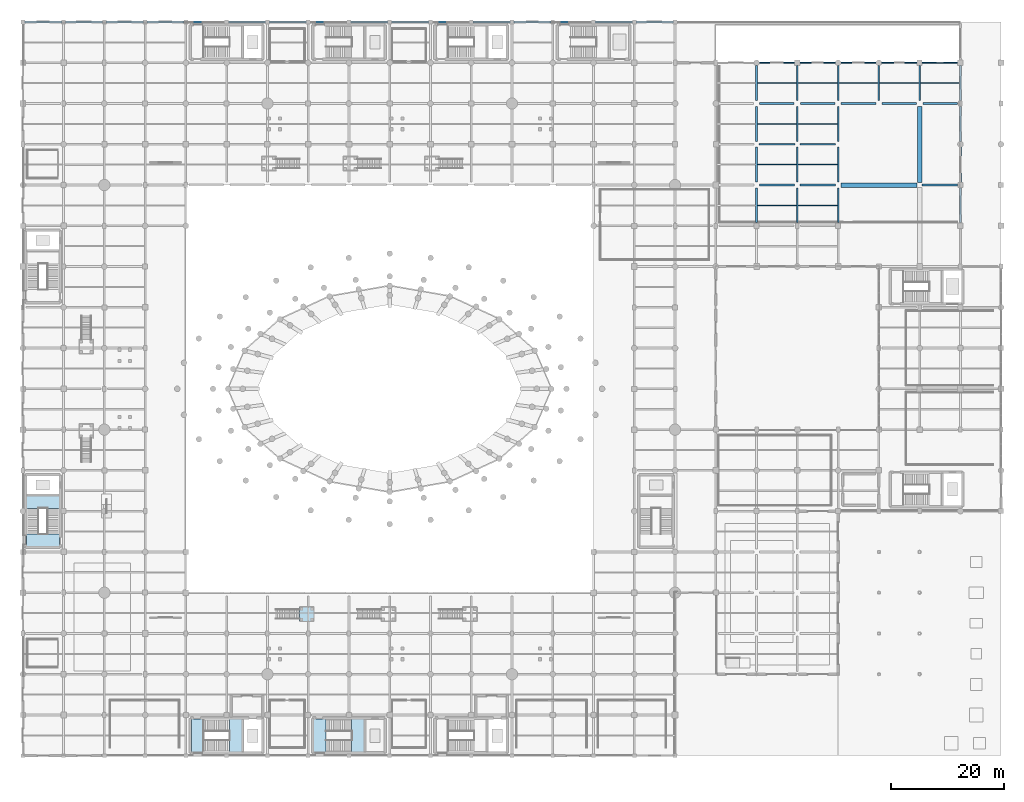
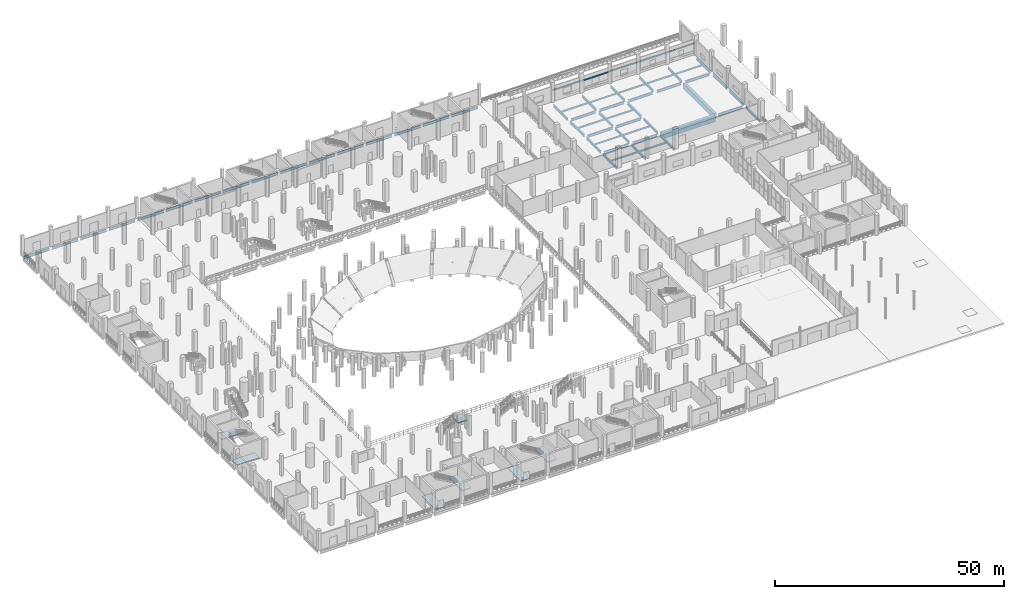
# One storey, part 28 of 58: 62 beams, 7 slabs, 3 elements without a shape of their own.
"""IFC4 building model written with IfcOpenShell, lengths in metres."""

from ifc_helpers import new_model, si_unit, direction, frame, origin, origin_2d, place, context, subcontext, project, spatial, polyline, rectangle, i_section, outline, extrude, material, layer, layer_set, material_profile, profile_set, type_object, element, aggregate, save


model = new_model("IFC4")

# Units and contexts
model_context = context("Model", 3, precision=1e-05, world=origin(), true_north=direction((0.0, 1.0)))
body_context = subcontext(model_context, "Body", "Model", "MODEL_VIEW")
ifc_project = project(units=[si_unit("LENGTHUNIT", "METRE"), si_unit("AREAUNIT", "SQUARE_METRE"), si_unit("VOLUMEUNIT", "CUBIC_METRE"), si_unit("PLANEANGLEUNIT", "RADIAN"), si_unit("MASSUNIT", "GRAM", prefix="KILO")], contexts=[model_context])

# Site, building, storey
site_placement = place(None, origin())
site = spatial("IfcSite", under=ifc_project, at=site_placement, CompositionType="ELEMENT")
building_placement = place(site_placement, origin())
building = spatial("IfcBuilding", under=site, at=building_placement, Name="Qandorah Velis Arena", CompositionType="ELEMENT")
storey_placement = place(building_placement, origin())
storey = spatial("IfcBuildingStorey", under=building, at=storey_placement, Name="L00", CompositionType="ELEMENT", Elevation=0.0)

# Beams
ifc_material_1 = material(Name="Steel S355", Category="steel")
ifc_material_profile_1 = material_profile(ifc_material_1, i_section(OverallWidth=0.300048828125, OverallDepth=0.64990234375, WebThickness=0.01611328125, FlangeThickness=0.031005859375, FilletRadius=0.027099609375, at=origin_2d()), Name="HEB 650")
ifc_profile_set_1 = profile_set([ifc_material_profile_1], Name="Steel S355")
beam_type_1 = type_object("IfcBeamType", Name="STR-BM-HEB650", PredefinedType="BEAM", material=ifc_profile_set_1)
beam_1_placement = place(storey_placement, frame((129.60009765625, 94.14990234375, -0.7451171875), z_axis=(0.0, 1.0, 0.0), x_axis=(-1.0, 0.0, 0.0)))
element("IfcBeam", 1, at=beam_1_placement, inside=storey, type_object=beam_type_1, Name="Primary floor girder L00 Y-478", PredefinedType="BEAM", context=body_context, shape_type="SweptSolid", body=[
    extrude(i_section(OverallWidth=0.300048828125, OverallDepth=0.64990234375, WebThickness=0.01611328125, FlangeThickness=0.031005859375, FilletRadius=0.027099609375, at=origin_2d()), origin(), (0.0, 0.0, 1.0), 6.150146484375),
])
beam_2_placement = place(storey_placement, frame((129.60009765625, 101.300048828125, -0.7451171875), z_axis=(0.0, 1.0, 0.0), x_axis=(-1.0, 0.0, 0.0)))
element("IfcBeam", 2, at=beam_2_placement, inside=storey, type_object=beam_type_1, Name="Primary floor girder L00 Y-479", PredefinedType="BEAM", context=body_context, shape_type="SweptSolid", body=[
    extrude(i_section(OverallWidth=0.300048828125, OverallDepth=0.64990234375, WebThickness=0.01611328125, FlangeThickness=0.031005859375, FilletRadius=0.027099609375, at=origin_2d()), origin(), (0.0, 0.0, 1.0), 6.25),
])
beam_3_placement = place(storey_placement, frame((129.60009765625, 108.449951171875, -0.7451171875), z_axis=(0.0, 1.0, 0.0), x_axis=(-1.0, 0.0, 0.0)))
element("IfcBeam", 3, at=beam_3_placement, inside=storey, type_object=beam_type_1, Name="Primary floor girder L00 Y-480", PredefinedType="BEAM", context=body_context, shape_type="SweptSolid", body=[
    extrude(i_section(OverallWidth=0.300048828125, OverallDepth=0.64990234375, WebThickness=0.01611328125, FlangeThickness=0.031005859375, FilletRadius=0.027099609375, at=origin_2d()), origin(), (0.0, 0.0, 1.0), 6.199951171875),
])
beam_4_placement = place(storey_placement, frame((129.60009765625, 115.75, -0.7451171875), z_axis=(0.0, 1.0, 0.0), x_axis=(-1.0, 0.0, 0.0)))
element("IfcBeam", 4, at=beam_4_placement, inside=storey, type_object=beam_type_1, Name="Primary floor girder L00 Y-481", PredefinedType="BEAM", context=body_context, shape_type="SweptSolid", body=[
    extrude(i_section(OverallWidth=0.300048828125, OverallDepth=0.64990234375, WebThickness=0.01611328125, FlangeThickness=0.031005859375, FilletRadius=0.027099609375, at=origin_2d()), origin(), (0.0, 0.0, 1.0), 6.14990234375),
])
beam_5_placement = place(storey_placement, frame((136.800048828125, 94.14990234375, -0.7451171875), z_axis=(0.0, 1.0, 0.0), x_axis=(-1.0, 0.0, 0.0)))
element("IfcBeam", 5, at=beam_5_placement, inside=storey, type_object=beam_type_1, Name="Primary floor girder L00 Y-489", PredefinedType="BEAM", context=body_context, shape_type="SweptSolid", body=[
    extrude(i_section(OverallWidth=0.300048828125, OverallDepth=0.64990234375, WebThickness=0.01611328125, FlangeThickness=0.031005859375, FilletRadius=0.027099609375, at=origin_2d()), origin(), (0.0, 0.0, 1.0), 6.150146484375),
])
beam_6_placement = place(storey_placement, frame((136.800048828125, 101.300048828125, -0.7451171875), z_axis=(0.0, 1.0, 0.0), x_axis=(-1.0, 0.0, 0.0)))
element("IfcBeam", 6, at=beam_6_placement, inside=storey, type_object=beam_type_1, Name="Primary floor girder L00 Y-490", PredefinedType="BEAM", context=body_context, shape_type="SweptSolid", body=[
    extrude(i_section(OverallWidth=0.300048828125, OverallDepth=0.64990234375, WebThickness=0.01611328125, FlangeThickness=0.031005859375, FilletRadius=0.027099609375, at=origin_2d()), origin(), (0.0, 0.0, 1.0), 6.25),
])
beam_7_placement = place(storey_placement, frame((136.800048828125, 108.449951171875, -0.7451171875), z_axis=(0.0, 1.0, 0.0), x_axis=(-1.0, 0.0, 0.0)))
element("IfcBeam", 7, at=beam_7_placement, inside=storey, type_object=beam_type_1, Name="Primary floor girder L00 Y-491", PredefinedType="BEAM", context=body_context, shape_type="SweptSolid", body=[
    extrude(i_section(OverallWidth=0.300048828125, OverallDepth=0.64990234375, WebThickness=0.01611328125, FlangeThickness=0.031005859375, FilletRadius=0.027099609375, at=origin_2d()), origin(), (0.0, 0.0, 1.0), 6.199951171875),
])
beam_8_placement = place(storey_placement, frame((136.800048828125, 115.75, -0.7451171875), z_axis=(0.0, 1.0, 0.0), x_axis=(-1.0, 0.0, 0.0)))
element("IfcBeam", 8, at=beam_8_placement, inside=storey, type_object=beam_type_1, Name="Primary floor girder L00 Y-492", PredefinedType="BEAM", context=body_context, shape_type="SweptSolid", body=[
    extrude(i_section(OverallWidth=0.300048828125, OverallDepth=0.64990234375, WebThickness=0.01611328125, FlangeThickness=0.031005859375, FilletRadius=0.027099609375, at=origin_2d()), origin(), (0.0, 0.0, 1.0), 6.14990234375),
])
beam_9_placement = place(storey_placement, frame((144.0, 94.14990234375, -0.7451171875), z_axis=(0.0, 1.0, 0.0), x_axis=(-1.0, 0.0, 0.0)))
element("IfcBeam", 9, at=beam_9_placement, inside=storey, type_object=beam_type_1, Name="Primary floor girder L00 Y-500", PredefinedType="BEAM", context=body_context, shape_type="SweptSolid", body=[
    extrude(i_section(OverallWidth=0.300048828125, OverallDepth=0.64990234375, WebThickness=0.01611328125, FlangeThickness=0.031005859375, FilletRadius=0.027099609375, at=origin_2d()), origin(), (0.0, 0.0, 1.0), 6.150146484375),
])
beam_10_placement = place(storey_placement, frame((144.0, 101.300048828125, -0.7451171875), z_axis=(0.0, 1.0, 0.0), x_axis=(-1.0, 0.0, 0.0)))
element("IfcBeam", 10, at=beam_10_placement, inside=storey, type_object=beam_type_1, Name="Primary floor girder L00 Y-501", PredefinedType="BEAM", context=body_context, shape_type="SweptSolid", body=[
    extrude(i_section(OverallWidth=0.300048828125, OverallDepth=0.64990234375, WebThickness=0.01611328125, FlangeThickness=0.031005859375, FilletRadius=0.027099609375, at=origin_2d()), origin(), (0.0, 0.0, 1.0), 6.25),
])
beam_11_placement = place(storey_placement, frame((144.0, 108.449951171875, -0.7451171875), z_axis=(0.0, 1.0, 0.0), x_axis=(-1.0, 0.0, 0.0)))
element("IfcBeam", 11, at=beam_11_placement, inside=storey, type_object=beam_type_1, Name="Primary floor girder L00 Y-502", PredefinedType="BEAM", context=body_context, shape_type="SweptSolid", body=[
    extrude(i_section(OverallWidth=0.300048828125, OverallDepth=0.64990234375, WebThickness=0.01611328125, FlangeThickness=0.031005859375, FilletRadius=0.027099609375, at=origin_2d()), origin(), (0.0, 0.0, 1.0), 6.199951171875),
])
for number, where, z_axis, x_axis, name in (
    (12, (144.0, 115.75, -0.7451171875), (0.0, 1.0, 0.0), (-1.0, 0.0, 0.0), "Primary floor girder L00 Y-503"),
    (13, (151.199951171875, 115.75, -0.7451171875), (0.0, 1.0, 0.0), (-1.0, 0.0, 0.0), "Primary floor girder L00 Y-510"),
    (14, (158.39990234375, 115.75, -0.7451171875), (0.0, 1.0, 0.0), (-1.0, 0.0, 0.0), "Primary floor girder L00 Y-516"),
):
    element("IfcBeam", number, at=place(storey_placement, frame(where, z_axis=z_axis, x_axis=x_axis)), inside=storey, type_object=beam_type_1, Name=name, PredefinedType="BEAM", context=body_context, shape_type="SweptSolid", body=[
        extrude(i_section(OverallWidth=0.300048828125, OverallDepth=0.64990234375, WebThickness=0.01611328125, FlangeThickness=0.031005859375, FilletRadius=0.027099609375, at=origin_2d()), origin(), (0.0, 0.0, 1.0), 6.14990234375),
    ])
beam_12_placement = place(storey_placement, frame((165.60009765625, 94.14990234375, -0.7451171875), z_axis=(0.0, 1.0, 0.0), x_axis=(-1.0, 0.0, 0.0)))
element("IfcBeam", 15, at=beam_12_placement, inside=storey, type_object=beam_type_1, Name="Primary floor girder L00 Y-521", PredefinedType="BEAM", context=body_context, shape_type="SweptSolid", body=[
    extrude(i_section(OverallWidth=0.300048828125, OverallDepth=0.64990234375, WebThickness=0.01611328125, FlangeThickness=0.031005859375, FilletRadius=0.027099609375, at=origin_2d()), origin(), (0.0, 0.0, 1.0), 6.150146484375),
])
beam_13_placement = place(storey_placement, frame((165.60009765625, 101.300048828125, -0.7451171875), z_axis=(0.0, 1.0, 0.0), x_axis=(-1.0, 0.0, 0.0)))
element("IfcBeam", 16, at=beam_13_placement, inside=storey, type_object=beam_type_1, Name="Primary floor girder L00 Y-522", PredefinedType="BEAM", context=body_context, shape_type="SweptSolid", body=[
    extrude(i_section(OverallWidth=0.300048828125, OverallDepth=0.64990234375, WebThickness=0.01611328125, FlangeThickness=0.031005859375, FilletRadius=0.027099609375, at=origin_2d()), origin(), (0.0, 0.0, 1.0), 6.25),
])
beam_14_placement = place(storey_placement, frame((165.60009765625, 108.449951171875, -0.7451171875), z_axis=(0.0, 1.0, 0.0), x_axis=(-1.0, 0.0, 0.0)))
element("IfcBeam", 17, at=beam_14_placement, inside=storey, type_object=beam_type_1, Name="Primary floor girder L00 Y-523", PredefinedType="BEAM", context=body_context, shape_type="SweptSolid", body=[
    extrude(i_section(OverallWidth=0.300048828125, OverallDepth=0.64990234375, WebThickness=0.01611328125, FlangeThickness=0.031005859375, FilletRadius=0.027099609375, at=origin_2d()), origin(), (0.0, 0.0, 1.0), 6.199951171875),
])
beam_15_placement = place(storey_placement, frame((165.60009765625, 115.75, -0.7451171875), z_axis=(0.0, 1.0, 0.0), x_axis=(-1.0, 0.0, 0.0)))
element("IfcBeam", 18, at=beam_15_placement, inside=storey, type_object=beam_type_1, Name="Primary floor girder L00 Y-524", PredefinedType="BEAM", context=body_context, shape_type="SweptSolid", body=[
    extrude(i_section(OverallWidth=0.300048828125, OverallDepth=0.64990234375, WebThickness=0.01611328125, FlangeThickness=0.031005859375, FilletRadius=0.027099609375, at=origin_2d()), origin(), (0.0, 0.0, 1.0), 6.14990234375),
])
ifc_material_profile_2 = material_profile(ifc_material_1, i_section(OverallWidth=0.300048828125, OverallDepth=0.699951171875, WebThickness=0.01708984375, FlangeThickness=0.031982421875, FilletRadius=0.027099609375, at=origin_2d()), Name="HEB 700")
ifc_profile_set_2 = profile_set([ifc_material_profile_2], Name="Steel S355")
beam_type_2 = type_object("IfcBeamType", Name="STR-BM-HEB700", PredefinedType="BEAM", material=ifc_profile_set_2)
for number, where, z_axis, x_axis, name in (
    (19, (130.10009765625, 100.800048828125, -0.77001953125), (1.0, 0.0, 0.0), (0.0, 1.0, 0.0), "Primary floor girder L00 X-191"),
    (20, (137.300048828125, 100.800048828125, -0.77001953125), (1.0, 0.0, 0.0), (0.0, 1.0, 0.0), "Primary floor girder L00 X-192"),
):
    element("IfcBeam", number, at=place(storey_placement, frame(where, z_axis=z_axis, x_axis=x_axis)), inside=storey, type_object=beam_type_2, Name=name, PredefinedType="BEAM", context=body_context, shape_type="SweptSolid", body=[
        extrude(i_section(OverallWidth=0.300048828125, OverallDepth=0.699951171875, WebThickness=0.01708984375, FlangeThickness=0.031982421875, FilletRadius=0.027099609375, at=origin_2d()), origin(), (0.0, 0.0, 1.0), 6.199951171875),
    ])
beam_16_placement = place(storey_placement, frame((158.85009765625, 100.800048828125, -0.77001953125), z_axis=(1.0, 0.0, 0.0), x_axis=(0.0, 1.0, 0.0)))
element("IfcBeam", 21, at=beam_16_placement, inside=storey, type_object=beam_type_2, Name="Primary floor girder L00 X-194", PredefinedType="BEAM", context=body_context, shape_type="SweptSolid", body=[
    extrude(i_section(OverallWidth=0.300048828125, OverallDepth=0.699951171875, WebThickness=0.01708984375, FlangeThickness=0.031982421875, FilletRadius=0.027099609375, at=origin_2d()), origin(), (0.0, 0.0, 1.0), 6.25),
])
for number, where, z_axis, x_axis, name in (
    (22, (130.050048828125, 108.0, -0.77001953125), (1.0, 0.0, 0.0), (0.0, 1.0, 0.0), "Primary floor girder L00 X-212"),
    (23, (137.25, 108.0, -0.77001953125), (1.0, 0.0, 0.0), (0.0, 1.0, 0.0), "Primary floor girder L00 X-213"),
):
    element("IfcBeam", number, at=place(storey_placement, frame(where, z_axis=z_axis, x_axis=x_axis)), inside=storey, type_object=beam_type_2, Name=name, PredefinedType="BEAM", context=body_context, shape_type="SweptSolid", body=[
        extrude(i_section(OverallWidth=0.300048828125, OverallDepth=0.699951171875, WebThickness=0.01708984375, FlangeThickness=0.031982421875, FilletRadius=0.027099609375, at=origin_2d()), origin(), (0.0, 0.0, 1.0), 6.300048828125),
    ])
beam_17_placement = place(storey_placement, frame((130.14990234375, 115.199951171875, -0.77001953125), z_axis=(1.0, 0.0, 0.0), x_axis=(0.0, 1.0, 0.0)))
element("IfcBeam", 24, at=beam_17_placement, inside=storey, type_object=beam_type_2, Name="Primary floor girder L00 X-231", PredefinedType="BEAM", context=body_context, shape_type="SweptSolid", body=[
    extrude(i_section(OverallWidth=0.300048828125, OverallDepth=0.699951171875, WebThickness=0.01708984375, FlangeThickness=0.031982421875, FilletRadius=0.027099609375, at=origin_2d()), origin(), (0.0, 0.0, 1.0), 6.10009765625),
])
for number, where, z_axis, x_axis, name in (
    (25, (137.35009765625, 115.199951171875, -0.77001953125), (1.0, 0.0, 0.0), (0.0, 1.0, 0.0), "Primary floor girder L00 X-232"),
    (26, (144.550048828125, 115.199951171875, -0.77001953125), (1.0, 0.0, 0.0), (0.0, 1.0, 0.0), "Primary floor girder L00 X-233"),
):
    element("IfcBeam", number, at=place(storey_placement, frame(where, z_axis=z_axis, x_axis=x_axis)), inside=storey, type_object=beam_type_2, Name=name, PredefinedType="BEAM", context=body_context, shape_type="SweptSolid", body=[
        extrude(i_section(OverallWidth=0.300048828125, OverallDepth=0.699951171875, WebThickness=0.01708984375, FlangeThickness=0.031982421875, FilletRadius=0.027099609375, at=origin_2d()), origin(), (0.0, 0.0, 1.0), 6.099853515625),
    ])
for number, where, z_axis, x_axis, name in (
    (27, (151.75, 115.199951171875, -0.77001953125), (1.0, 0.0, 0.0), (0.0, 1.0, 0.0), "Primary floor girder L00 X-234"),
    (28, (158.949951171875, 115.199951171875, -0.77001953125), (1.0, 0.0, 0.0), (0.0, 1.0, 0.0), "Primary floor girder L00 X-235"),
):
    element("IfcBeam", number, at=place(storey_placement, frame(where, z_axis=z_axis, x_axis=x_axis)), inside=storey, type_object=beam_type_2, Name=name, PredefinedType="BEAM", context=body_context, shape_type="SweptSolid", body=[
        extrude(i_section(OverallWidth=0.300048828125, OverallDepth=0.699951171875, WebThickness=0.01708984375, FlangeThickness=0.031982421875, FilletRadius=0.027099609375, at=origin_2d()), origin(), (0.0, 0.0, 1.0), 6.10009765625),
    ])
beam_18_placement = place(storey_placement, frame((0.300048828125, 129.60009765625, -0.77001953125), z_axis=(1.0, 0.0, 0.0), x_axis=(0.0, 1.0, 0.0)))
element("IfcBeam", 29, at=beam_18_placement, inside=storey, type_object=beam_type_2, Name="Primary floor girder L00 X-252", PredefinedType="BEAM", context=body_context, shape_type="SweptSolid", body=[
    extrude(i_section(OverallWidth=0.300048828125, OverallDepth=0.699951171875, WebThickness=0.01708984375, FlangeThickness=0.031982421875, FilletRadius=0.027099609375, at=origin_2d()), origin(), (0.0, 0.0, 1.0), 6.599853515625),
])
for number, where, z_axis, x_axis, name in (
    (30, (7.5, 129.60009765625, -0.77001953125), (1.0, 0.0, 0.0), (0.0, 1.0, 0.0), "Primary floor girder L00 X-253"),
    (31, (14.699951171875, 129.60009765625, -0.77001953125), (1.0, 0.0, 0.0), (0.0, 1.0, 0.0), "Primary floor girder L00 X-254"),
    (32, (21.89990234375, 129.60009765625, -0.77001953125), (1.0, 0.0, 0.0), (0.0, 1.0, 0.0), "Primary floor girder L00 X-255"),
):
    element("IfcBeam", number, at=place(storey_placement, frame(where, z_axis=z_axis, x_axis=x_axis)), inside=storey, type_object=beam_type_2, Name=name, PredefinedType="BEAM", context=body_context, shape_type="SweptSolid", body=[
        extrude(i_section(OverallWidth=0.300048828125, OverallDepth=0.699951171875, WebThickness=0.01708984375, FlangeThickness=0.031982421875, FilletRadius=0.027099609375, at=origin_2d()), origin(), (0.0, 0.0, 1.0), 6.60009765625),
    ])
for number, where, z_axis, x_axis, name in (
    (33, (29.10009765625, 129.60009765625, -0.77001953125), (1.0, 0.0, 0.0), (0.0, 1.0, 0.0), "Primary floor girder L00 X-256"),
    (34, (36.300048828125, 129.60009765625, -0.77001953125), (1.0, 0.0, 0.0), (0.0, 1.0, 0.0), "Primary floor girder L00 X-257"),
):
    element("IfcBeam", number, at=place(storey_placement, frame(where, z_axis=z_axis, x_axis=x_axis)), inside=storey, type_object=beam_type_2, Name=name, PredefinedType="BEAM", context=body_context, shape_type="SweptSolid", body=[
        extrude(i_section(OverallWidth=0.300048828125, OverallDepth=0.699951171875, WebThickness=0.01708984375, FlangeThickness=0.031982421875, FilletRadius=0.027099609375, at=origin_2d()), origin(), (0.0, 0.0, 1.0), 6.599853515625),
    ])
for number, where, z_axis, x_axis, name in (
    (35, (43.5, 129.60009765625, -0.77001953125), (1.0, 0.0, 0.0), (0.0, 1.0, 0.0), "Primary floor girder L00 X-258"),
    (36, (50.699951171875, 129.60009765625, -0.77001953125), (1.0, 0.0, 0.0), (0.0, 1.0, 0.0), "Primary floor girder L00 X-259"),
    (37, (57.89990234375, 129.60009765625, -0.77001953125), (1.0, 0.0, 0.0), (0.0, 1.0, 0.0), "Primary floor girder L00 X-260"),
):
    element("IfcBeam", number, at=place(storey_placement, frame(where, z_axis=z_axis, x_axis=x_axis)), inside=storey, type_object=beam_type_2, Name=name, PredefinedType="BEAM", context=body_context, shape_type="SweptSolid", body=[
        extrude(i_section(OverallWidth=0.300048828125, OverallDepth=0.699951171875, WebThickness=0.01708984375, FlangeThickness=0.031982421875, FilletRadius=0.027099609375, at=origin_2d()), origin(), (0.0, 0.0, 1.0), 6.60009765625),
    ])
for number, where, z_axis, x_axis, name in (
    (38, (65.10009765625, 129.60009765625, -0.77001953125), (1.0, 0.0, 0.0), (0.0, 1.0, 0.0), "Primary floor girder L00 X-261"),
    (39, (72.300048828125, 129.60009765625, -0.77001953125), (1.0, 0.0, 0.0), (0.0, 1.0, 0.0), "Primary floor girder L00 X-262"),
):
    element("IfcBeam", number, at=place(storey_placement, frame(where, z_axis=z_axis, x_axis=x_axis)), inside=storey, type_object=beam_type_2, Name=name, PredefinedType="BEAM", context=body_context, shape_type="SweptSolid", body=[
        extrude(i_section(OverallWidth=0.300048828125, OverallDepth=0.699951171875, WebThickness=0.01708984375, FlangeThickness=0.031982421875, FilletRadius=0.027099609375, at=origin_2d()), origin(), (0.0, 0.0, 1.0), 6.599853515625),
    ])
for number, where, z_axis, x_axis, name in (
    (40, (79.5, 129.60009765625, -0.77001953125), (1.0, 0.0, 0.0), (0.0, 1.0, 0.0), "Primary floor girder L00 X-263"),
    (41, (86.699951171875, 129.60009765625, -0.77001953125), (1.0, 0.0, 0.0), (0.0, 1.0, 0.0), "Primary floor girder L00 X-264"),
    (42, (93.89990234375, 129.60009765625, -0.77001953125), (1.0, 0.0, 0.0), (0.0, 1.0, 0.0), "Primary floor girder L00 X-265"),
):
    element("IfcBeam", number, at=place(storey_placement, frame(where, z_axis=z_axis, x_axis=x_axis)), inside=storey, type_object=beam_type_2, Name=name, PredefinedType="BEAM", context=body_context, shape_type="SweptSolid", body=[
        extrude(i_section(OverallWidth=0.300048828125, OverallDepth=0.699951171875, WebThickness=0.01708984375, FlangeThickness=0.031982421875, FilletRadius=0.027099609375, at=origin_2d()), origin(), (0.0, 0.0, 1.0), 6.60009765625),
    ])
for number, where, z_axis, x_axis, name in (
    (43, (101.10009765625, 129.60009765625, -0.77001953125), (1.0, 0.0, 0.0), (0.0, 1.0, 0.0), "Primary floor girder L00 X-266"),
    (44, (108.300048828125, 129.60009765625, -0.77001953125), (1.0, 0.0, 0.0), (0.0, 1.0, 0.0), "Primary floor girder L00 X-267"),
):
    element("IfcBeam", number, at=place(storey_placement, frame(where, z_axis=z_axis, x_axis=x_axis)), inside=storey, type_object=beam_type_2, Name=name, PredefinedType="BEAM", context=body_context, shape_type="SweptSolid", body=[
        extrude(i_section(OverallWidth=0.300048828125, OverallDepth=0.699951171875, WebThickness=0.01708984375, FlangeThickness=0.031982421875, FilletRadius=0.027099609375, at=origin_2d()), origin(), (0.0, 0.0, 1.0), 6.599853515625),
    ])
ifc_material_profile_3 = material_profile(ifc_material_1, i_section(OverallWidth=0.18994140625, OverallDepth=0.449951171875, WebThickness=0.009521484375, FlangeThickness=0.0146484375, FilletRadius=0.02099609375, at=origin_2d()), Name="IPE 450")
ifc_profile_set_3 = profile_set([ifc_material_profile_3], Name="Steel S355")
beam_type_3 = type_object("IfcBeamType", Name="STR-JST-IPE450", PredefinedType="JOIST", material=ifc_profile_set_3)
for number, where, z_axis, x_axis, name in (
    (45, (129.735107421875, 97.199951171875, -0.64501953125), (1.0, 0.0, 0.0), (0.0, 1.0, 0.0), "Secondary floor joist L00-175"),
    (46, (129.735107421875, 104.39990234375, -0.64501953125), (1.0, 0.0, 0.0), (0.0, 1.0, 0.0), "Secondary floor joist L00-176"),
    (47, (129.735107421875, 111.60009765625, -0.64501953125), (1.0, 0.0, 0.0), (0.0, 1.0, 0.0), "Secondary floor joist L00-177"),
    (48, (129.735107421875, 118.800048828125, -0.64501953125), (1.0, 0.0, 0.0), (0.0, 1.0, 0.0), "Secondary floor joist L00-178"),
    (49, (136.93505859375, 97.199951171875, -0.64501953125), (1.0, 0.0, 0.0), (0.0, 1.0, 0.0), "Secondary floor joist L00-186"),
    (50, (136.93505859375, 104.39990234375, -0.64501953125), (1.0, 0.0, 0.0), (0.0, 1.0, 0.0), "Secondary floor joist L00-187"),
    (51, (136.93505859375, 111.60009765625, -0.64501953125), (1.0, 0.0, 0.0), (0.0, 1.0, 0.0), "Secondary floor joist L00-188"),
    (52, (136.93505859375, 118.800048828125, -0.64501953125), (1.0, 0.0, 0.0), (0.0, 1.0, 0.0), "Secondary floor joist L00-189"),
    (53, (144.135009765625, 118.800048828125, -0.64501953125), (1.0, 0.0, 0.0), (0.0, 1.0, 0.0), "Secondary floor joist L00-192"),
    (54, (151.3349609375, 118.800048828125, -0.64501953125), (1.0, 0.0, 0.0), (0.0, 1.0, 0.0), "Secondary floor joist L00-196"),
):
    element("IfcBeam", number, at=place(storey_placement, frame(where, z_axis=z_axis, x_axis=x_axis)), inside=storey, type_object=beam_type_3, Name=name, PredefinedType="JOIST", context=body_context, shape_type="SweptSolid", body=[
        extrude(i_section(OverallWidth=0.18994140625, OverallDepth=0.449951171875, WebThickness=0.009521484375, FlangeThickness=0.0146484375, FilletRadius=0.02099609375, at=origin_2d()), origin(), (0.0, 0.0, 1.0), 6.929931640625),
    ])
beam_19_placement = place(storey_placement, frame((158.534912109375, 118.800048828125, -0.64501953125), z_axis=(1.0, 0.0, 0.0), x_axis=(0.0, 1.0, 0.0)))
element("IfcBeam", 55, at=beam_19_placement, inside=storey, type_object=beam_type_3, Name="Secondary floor joist L00-200", PredefinedType="JOIST", context=body_context, shape_type="SweptSolid", body=[
    extrude(i_section(OverallWidth=0.18994140625, OverallDepth=0.449951171875, WebThickness=0.009521484375, FlangeThickness=0.0146484375, FilletRadius=0.02099609375, at=origin_2d()), origin(), (0.0, 0.0, 1.0), 6.93017578125),
])
ifc_material_2 = material(Name="Concrete C40/50", Category="concrete")
ifc_material_profile_4 = material_profile(ifc_material_2, rectangle(XDim=0.199951171875, YDim=0.300048828125, at=origin_2d()), Name="RC LINTEL 200x300")
ifc_profile_set_4 = profile_set([ifc_material_profile_4], Name="Concrete C40/50")
beam_type_4 = type_object("IfcBeamType", Name="STR-LIN-200X300", PredefinedType="LINTEL", material=ifc_profile_set_4)
beam_20_placement = place(storey_placement, frame((129.75, 122.39990234375, 2.949951171875), z_axis=(1.0, 0.0, 0.0), x_axis=(0.0, 1.0, 0.0)))
element("IfcBeam", 56, at=beam_20_placement, inside=storey, type_object=beam_type_4, Name="Facade opening lintel LN-02", PredefinedType="LINTEL", context=body_context, shape_type="SweptSolid", body=[
    extrude(rectangle(XDim=0.199951171875, YDim=0.300048828125, at=origin_2d()), origin(), (0.0, 0.0, 1.0), 6.89990234375),
])
beam_21_placement = place(storey_placement, frame((144.14990234375, 122.39990234375, 2.949951171875), z_axis=(1.0, 0.0, 0.0), x_axis=(0.0, 1.0, 0.0)))
element("IfcBeam", 57, at=beam_21_placement, inside=storey, type_object=beam_type_4, Name="Facade opening lintel LN-04", PredefinedType="LINTEL", context=body_context, shape_type="SweptSolid", body=[
    extrude(rectangle(XDim=0.199951171875, YDim=0.300048828125, at=origin_2d()), origin(), (0.0, 0.0, 1.0), 6.900146484375),
])
beam_22_placement = place(storey_placement, frame((158.550048828125, 122.39990234375, 2.949951171875), z_axis=(1.0, 0.0, 0.0), x_axis=(0.0, 1.0, 0.0)))
element("IfcBeam", 58, at=beam_22_placement, inside=storey, type_object=beam_type_4, Name="Facade opening lintel LN-06", PredefinedType="LINTEL", context=body_context, shape_type="SweptSolid", body=[
    extrude(rectangle(XDim=0.199951171875, YDim=0.300048828125, at=origin_2d()), origin(), (0.0, 0.0, 1.0), 6.89990234375),
])
ifc_material_profile_5 = material_profile(ifc_material_2, rectangle(XDim=0.25, YDim=0.35009765625, at=origin_2d()), Name="RC LINTEL 250x350")
ifc_profile_set_5 = profile_set([ifc_material_profile_5], Name="Concrete C40/50")
beam_type_5 = type_object("IfcBeamType", Name="STR-LIN-250X350", PredefinedType="LINTEL", material=ifc_profile_set_5)
beam_23_placement = place(storey_placement, frame((136.949951171875, 122.39990234375, 2.949951171875), z_axis=(1.0, 0.0, 0.0), x_axis=(0.0, 1.0, 0.0)))
element("IfcBeam", 59, at=beam_23_placement, inside=storey, type_object=beam_type_5, Name="Facade opening lintel LN-03", PredefinedType="LINTEL", context=body_context, shape_type="SweptSolid", body=[
    extrude(rectangle(XDim=0.25, YDim=0.35009765625, at=origin_2d()), origin(), (0.0, 0.0, 1.0), 6.900146484375),
])
beam_24_placement = place(storey_placement, frame((151.35009765625, 122.39990234375, 2.949951171875), z_axis=(1.0, 0.0, 0.0), x_axis=(0.0, 1.0, 0.0)))
element("IfcBeam", 60, at=beam_24_placement, inside=storey, type_object=beam_type_5, Name="Facade opening lintel LN-05", PredefinedType="LINTEL", context=body_context, shape_type="SweptSolid", body=[
    extrude(rectangle(XDim=0.25, YDim=0.35009765625, at=origin_2d()), origin(), (0.0, 0.0, 1.0), 6.89990234375),
])
ifc_material_profile_6 = material_profile(ifc_material_2, rectangle(XDim=0.75, YDim=1.39990234375, at=origin_2d()), Name="RC TG 750x1400")
ifc_profile_set_6 = profile_set([ifc_material_profile_6], Name="Concrete C40/50")
beam_type_6 = type_object("IfcBeamType", Name="STR-TG-750X1400", PredefinedType="BEAM", material=ifc_profile_set_6)
beam_25_placement = place(storey_placement, frame((158.39990234375, 101.25, -1.1201171875), z_axis=(0.0, 1.0, 0.0), x_axis=(-1.0, 0.0, 0.0)))
element("IfcBeam", 61, at=beam_25_placement, inside=storey, type_object=beam_type_6, Name="Primary floor girder L00 Y-515", PredefinedType="BEAM", context=body_context, shape_type="SweptSolid", body=[
    extrude(rectangle(XDim=0.75, YDim=1.39990234375, at=origin_2d()), origin(), (0.0, 0.0, 1.0), 13.39990234375),
])
ifc_material_profile_7 = material_profile(ifc_material_2, rectangle(XDim=0.800048828125, YDim=1.60009765625, at=origin_2d()), Name="RC TG 800x1600")
ifc_profile_set_7 = profile_set([ifc_material_profile_7], Name="Concrete C40/50")
beam_type_7 = type_object("IfcBeamType", Name="STR-TG-800X1600", PredefinedType="BEAM", material=ifc_profile_set_7)
beam_26_placement = place(storey_placement, frame((144.5, 100.800048828125, -1.219970703125), z_axis=(1.0, 0.0, 0.0), x_axis=(0.0, 1.0, 0.0)))
element("IfcBeam", 62, at=beam_26_placement, inside=storey, type_object=beam_type_7, Name="Primary floor girder L00 X-193", PredefinedType="BEAM", context=body_context, shape_type="SweptSolid", body=[
    extrude(rectangle(XDim=0.800048828125, YDim=1.60009765625, at=origin_2d()), origin(), (0.0, 0.0, 1.0), 13.449951171875),
])

# Slab
ifc_layer_1 = layer(ifc_material_2, 0.219970703125)
ifc_layer_set_1 = layer_set([ifc_layer_1], Name="Concrete C40/50")
slab_type_1 = type_object("IfcSlabType", Name="STR-SLB-LND220", PredefinedType="LANDING", material=ifc_layer_set_1)
slab_1_placement = place(storey_placement, frame((0.0, 0.0, -0.219970703125)))
element("IfcSlab", 63, at=slab_1_placement, inside=storey, type_object=slab_type_1, Name="Stair ST1 storey landing slab L00", PredefinedType="LANDING", context=body_context, shape_type="SweptSolid", body=[
    extrude(outline(polyline([(29.75, 0.64990234375), (31.949951171875, 0.64990234375), (31.949951171875, 6.449951171875), (29.75, 6.449951171875), (29.75, 0.64990234375)])), origin(), (0.0, 0.0, 1.0), 0.219970703125),
])

# Stair, slab
stair_type = type_object("IfcStairType", Name="ARC-ST-CORE54", PredefinedType="HALF_TURN_STAIR", material=ifc_material_2)
stair_1_placement = place(storey_placement, origin())
stair_1 = element("IfcStair", 64, at=stair_1_placement, inside=storey, type_object=stair_type, Name="Protected exit stair ST1 (L00)", PredefinedType="HALF_TURN_STAIR")
slab_2_placement = place(storey_placement, frame((0.0, 0.0, 2.47998046875)))
slab_2 = element("IfcSlab", 65, at=slab_2_placement, type_object=slab_type_1, Name="ST1 landing 1", PredefinedType="LANDING", context=body_context, shape_type="SweptSolid", body=[
    extrude(outline(polyline([(36.486083984375, 0.64990234375), (38.736083984375, 0.64990234375), (38.736083984375, 6.449951171875), (36.486083984375, 6.449951171875), (36.486083984375, 0.64990234375)])), origin(), (0.0, 0.0, 1.0), 0.219970703125),
])
aggregate(stair_1, [slab_2])

# Slab
slab_3_placement = place(storey_placement, frame((0.0, 0.0, -0.219970703125)))
element("IfcSlab", 66, at=slab_3_placement, inside=storey, type_object=slab_type_1, Name="Stair ST5 storey landing slab L00", PredefinedType="LANDING", context=body_context, shape_type="SweptSolid", body=[
    extrude(outline(polyline([(0.64990234375, 36.949951171875), (6.449951171875, 36.949951171875), (6.449951171875, 39.14990234375), (0.64990234375, 39.14990234375), (0.64990234375, 36.949951171875)])), origin(), (0.0, 0.0, 1.0), 0.219970703125),
])

# Stair, slab
stair_2_placement = place(storey_placement, origin())
stair_2 = element("IfcStair", 67, at=stair_2_placement, inside=storey, type_object=stair_type, Name="Protected exit stair ST5 (L00)", PredefinedType="HALF_TURN_STAIR")
slab_4_placement = place(storey_placement, frame((0.0, 0.0, 2.47998046875)))
slab_4 = element("IfcSlab", 68, at=slab_4_placement, type_object=slab_type_1, Name="ST5 landing 1", PredefinedType="LANDING", context=body_context, shape_type="SweptSolid", body=[
    extrude(outline(polyline([(0.64990234375, 43.68603515625), (6.449951171875, 43.68603515625), (6.449951171875, 45.93603515625), (0.64990234375, 45.93603515625), (0.64990234375, 43.68603515625)])), origin(), (0.0, 0.0, 1.0), 0.219970703125),
])
aggregate(stair_2, [slab_4])

# Slab
slab_5_placement = place(storey_placement, frame((0.0, 0.0, -0.219970703125)))
element("IfcSlab", 69, at=slab_5_placement, inside=storey, type_object=slab_type_1, Name="Stair ST9 storey landing slab L00", PredefinedType="LANDING", context=body_context, shape_type="SweptSolid", body=[
    extrude(outline(polyline([(51.35009765625, 0.64990234375), (53.550048828125, 0.64990234375), (53.550048828125, 6.449951171875), (51.35009765625, 6.449951171875), (51.35009765625, 0.64990234375)])), origin(), (0.0, 0.0, 1.0), 0.219970703125),
])

# Stair, slab
stair_3_placement = place(storey_placement, origin())
stair_3 = element("IfcStair", 70, at=stair_3_placement, inside=storey, type_object=stair_type, Name="Protected exit stair ST9 (L00)", PredefinedType="HALF_TURN_STAIR")
slab_6_placement = place(storey_placement, frame((0.0, 0.0, 2.47998046875)))
slab_6 = element("IfcSlab", 71, at=slab_6_placement, type_object=slab_type_1, Name="ST9 landing 1", PredefinedType="LANDING", context=body_context, shape_type="SweptSolid", body=[
    extrude(outline(polyline([(58.0859375, 0.64990234375), (60.3359375, 0.64990234375), (60.3359375, 6.449951171875), (58.0859375, 6.449951171875), (58.0859375, 0.64990234375)])), origin(), (0.0, 0.0, 1.0), 0.219970703125),
])
aggregate(stair_3, [slab_6])

# Slab
ifc_material_3 = material(Name="Precast concrete C40/50", Category="concrete")
ifc_layer_2 = layer(ifc_material_3, 0.239990234375)
ifc_layer_set_2 = layer_set([ifc_layer_2], Name="Precast concrete C40/50")
slab_type_2 = type_object("IfcSlabType", Name="STR-SLB-TIER240", PredefinedType="USERDEFINED", material=ifc_layer_set_2)
slab_7_placement = place(storey_placement, frame((0.0, 0.0, 2.159912109375)))
element("IfcSlab", 72, at=slab_7_placement, inside=storey, type_object=slab_type_2, Name="Vomitory VS1 lower tier arrival landing slab", ObjectType="SEATING TIER", PredefinedType="USERDEFINED", context=body_context, shape_type="SweptSolid", body=[
    extrude(outline(polyline([(48.89990234375, 23.75), (51.39990234375, 23.75), (51.39990234375, 26.25), (48.89990234375, 26.25), (48.89990234375, 23.75)])), origin(), (0.0, 0.0, 1.0), 0.239990234375),
])

save(model, "model.ifc")
